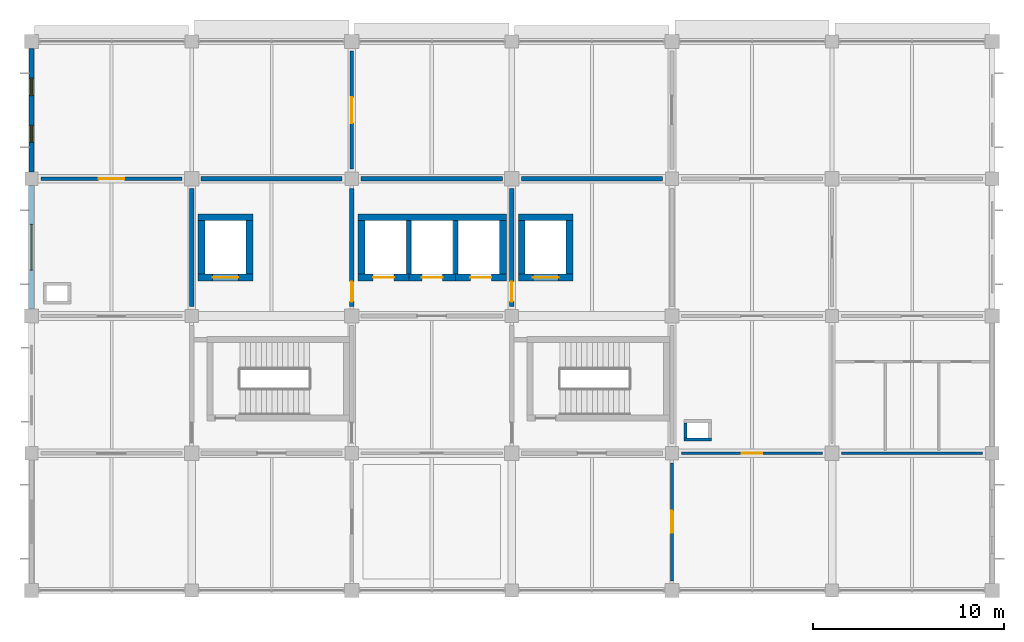
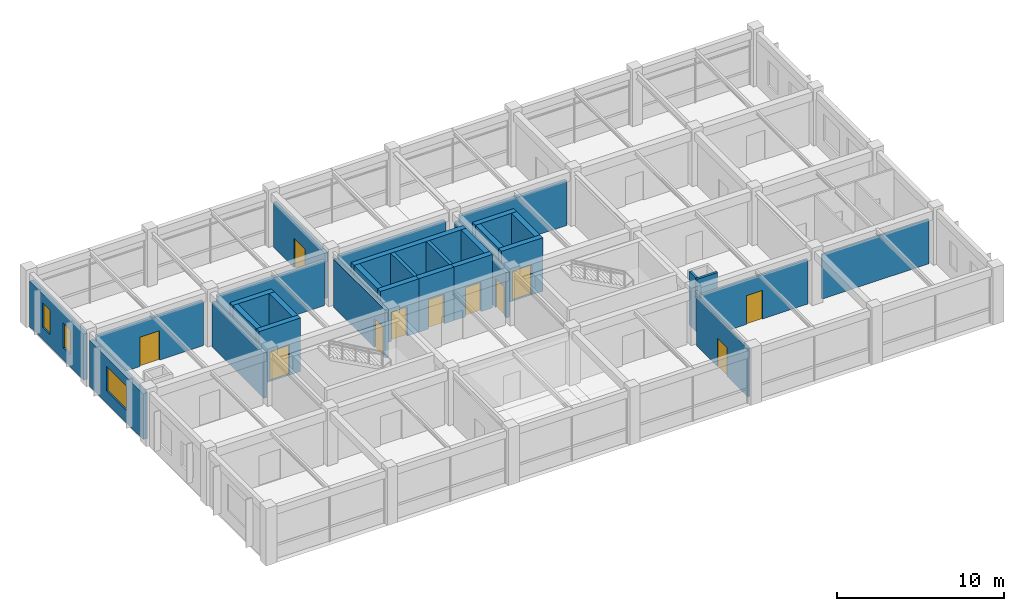
# One storey, part 9 of 13: 31 walls, 11 doors, 3 windows, 14 openings.
"""IFC4 building model written with IfcOpenShell, lengths in metres."""

from ifc_helpers import new_model, si_unit, derived_unit, direction, frame, frame_2d, origin, place, context, subcontext, project, spatial, rectangle, extrude, material, layer, layer_set, type_object, element, fill, save


model = new_model("IFC4")

# Units and contexts
model_context = context("Model", 3, precision=1e-05, world=origin(), true_north=direction((0.0, 1.0)))
body_context = subcontext(model_context, "Body", "Model", "MODEL_VIEW")
ifc_project = project(units=[si_unit("LENGTHUNIT", "METRE"), si_unit("AREAUNIT", "SQUARE_METRE"), si_unit("VOLUMEUNIT", "CUBIC_METRE"), si_unit("PLANEANGLEUNIT", "RADIAN"), si_unit("MASSUNIT", "GRAM", prefix="KILO"), derived_unit("THERMALTRANSMITTANCEUNIT", [(si_unit("MASSUNIT", "GRAM", prefix="KILO"), 1), (si_unit("TIMEUNIT", "SECOND"), -3), (si_unit("THERMODYNAMICTEMPERATUREUNIT", "KELVIN"), -1)])], contexts=[model_context])

# Site, building, storey
site_placement = place(None, origin())
site = spatial("IfcSite", under=ifc_project, at=site_placement, CompositionType="ELEMENT")
building_placement = place(site_placement, origin())
building = spatial("IfcBuilding", under=site, at=building_placement, Name="Veldstrom Oceanarium and Marine Research Institute", CompositionType="ELEMENT")
storey_placement = place(building_placement, frame((0.0, 0.0, 31.199951171875)))
storey = spatial("IfcBuildingStorey", under=building, at=storey_placement, Name="L06", CompositionType="ELEMENT", Elevation=31.199951171875)

# Wall, opening, window
ifc_material_1 = material(Name="Masonry Cavity Wall", Category="masonry")
ifc_layer_1 = layer(ifc_material_1, 0.2900390625)
ifc_layer_set_1 = layer_set([ifc_layer_1], Name="ARC-WAL-EW2")
wall_type_1 = type_object("IfcWallType", Name="ARC-WAL-EW2", PredefinedType="SOLIDWALL", material=ifc_layer_set_1)
wall_1_placement = place(storey_placement, frame((67.199951171875, 57.97509765625, 0.0), z_axis=(0.0, 0.0, 1.0), x_axis=(0.0, 1.0, 0.0)))
wall_1 = element("IfcWall", 1, at=wall_1_placement, inside=storey, type_object=wall_type_1, Name="Exterior Facade Wall EW2 L06-188", PredefinedType="SOLIDWALL", context=body_context, shape_type="SweptSolid", body=[
    extrude(rectangle(XDim=6.474853515625, YDim=0.2900390625, at=frame_2d((3.2373046875, 0.0))), origin(), (0.0, 0.0, 1.0), 3.364990234375),
])
opening_1_placement = place(wall_1_placement, frame((2.03759765625, 0.0, 0.89990234375)))
opening_1 = element("IfcOpeningElement", 2, at=opening_1_placement, cuts=wall_1, Name="Opening W01", PredefinedType="OPENING", context=body_context, shape_type="SweptSolid", body=[
    extrude(rectangle(XDim=2.39990234375, YDim=1.800048828125, at=frame_2d((1.199951171875, 0.89990234375))), frame((0.0, 0.155029296875, 0.0), z_axis=(0.0, -1.0, 0.0), x_axis=(1.0, 0.0, 0.0)), (0.0, 0.0, 1.0), 0.31005859375),
])
ifc_material_2 = material(Name="Double Glazed Low-E IGU", Category="glass")
window_type_1 = type_object("IfcWindowType", Name="ARC-WIN-W01", PartitioningType="SINGLE_PANEL", PredefinedType="WINDOW", material=ifc_material_2)
window_1_placement = place(opening_1_placement, origin())
window_1 = element("IfcWindow", 3, at=window_1_placement, inside=storey, type_object=window_type_1, Name="Facade Window W01 L06-0151", OverallHeight=1.800048828125, OverallWidth=2.39990234375, PartitioningType="SINGLE_PANEL", PredefinedType="WINDOW", context=body_context, shape_type="SweptSolid", body=[
    extrude(rectangle(XDim=2.39990234375, YDim=1.800048828125, at=frame_2d((1.199951171875, 0.89990234375))), frame((0.0, 0.030029296875, 0.0), z_axis=(0.0, -1.0, 0.0), x_axis=(1.0, 0.0, 0.0)), (0.0, 0.0, 1.0), 0.06005859375),
])
fill(opening_1, window_1)

# Wall, openings, windows
ifc_material_3 = material(Name="Masonry Cavity Wall", Category="masonry")
ifc_layer_2 = layer(ifc_material_3, 0.27001953125)
ifc_layer_set_2 = layer_set([ifc_layer_2], Name="ARC-WAL-EW3")
wall_type_2 = type_object("IfcWallType", Name="ARC-WAL-EW3", PredefinedType="SOLIDWALL", material=ifc_layer_set_2)
wall_2_placement = place(storey_placement, frame((67.199951171875, 65.14990234375, 0.0), z_axis=(0.0, 0.0, 1.0), x_axis=(0.0, 1.0, 0.0)))
wall_2 = element("IfcWall", 4, at=wall_2_placement, inside=storey, type_object=wall_type_2, Name="Exterior Facade Wall EW3 L06-189", PredefinedType="SOLIDWALL", context=body_context, shape_type="SweptSolid", body=[
    extrude(rectangle(XDim=6.47509765625, YDim=0.27001953125, at=frame_2d((3.237548828125, 0.0))), origin(), (0.0, 0.0, 1.0), 3.364990234375),
])
opening_2_placement = place(wall_2_placement, frame((1.558349609375, 0.0, 0.89990234375)))
opening_2 = element("IfcOpeningElement", 5, at=opening_2_placement, cuts=wall_2, Name="Opening W06", PredefinedType="OPENING", context=body_context, shape_type="SweptSolid", body=[
    extrude(rectangle(XDim=0.89990234375, YDim=1.800048828125, at=frame_2d((0.449951171875, 0.89990234375))), frame((0.0, 0.14501953125, 0.0), z_axis=(0.0, -1.0, 0.0), x_axis=(1.0, 0.0, 0.0)), (0.0, 0.0, 1.0), 0.2900390625),
])
opening_3_placement = place(wall_2_placement, frame((4.0166015625, 0.0, 0.89990234375)))
opening_3 = element("IfcOpeningElement", 6, at=opening_3_placement, cuts=wall_2, Name="Opening W06", PredefinedType="OPENING", context=body_context, shape_type="SweptSolid", body=[
    extrude(rectangle(XDim=0.89990234375, YDim=1.800048828125, at=frame_2d((0.449951171875, 0.89990234375))), frame((0.0, 0.14501953125, 0.0), z_axis=(0.0, -1.0, 0.0), x_axis=(1.0, 0.0, 0.0)), (0.0, 0.0, 1.0), 0.2900390625),
])
ifc_material_4 = material(Name="Double Glazed Low-E IGU", Category="glass")
window_type_2 = type_object("IfcWindowType", Name="ARC-WIN-W06", PartitioningType="SINGLE_PANEL", PredefinedType="WINDOW", material=ifc_material_4)
window_2_placement = place(opening_2_placement, origin())
window_2 = element("IfcWindow", 7, at=window_2_placement, inside=storey, type_object=window_type_2, Name="Facade Window W06 L06-0152", OverallHeight=1.800048828125, OverallWidth=0.89990234375, PartitioningType="SINGLE_PANEL", PredefinedType="WINDOW", context=body_context, shape_type="SweptSolid", body=[
    extrude(rectangle(XDim=0.89990234375, YDim=1.800048828125, at=frame_2d((0.449951171875, 0.89990234375))), frame((0.0, 0.030029296875, 0.0), z_axis=(0.0, -1.0, 0.0), x_axis=(1.0, 0.0, 0.0)), (0.0, 0.0, 1.0), 0.06005859375),
])
fill(opening_2, window_2)
window_3_placement = place(opening_3_placement, origin())
window_3 = element("IfcWindow", 8, at=window_3_placement, inside=storey, type_object=window_type_2, Name="Facade Window W06 L06-0153", OverallHeight=1.800048828125, OverallWidth=0.89990234375, PartitioningType="SINGLE_PANEL", PredefinedType="WINDOW", context=body_context, shape_type="SweptSolid", body=[
    extrude(rectangle(XDim=0.89990234375, YDim=1.800048828125, at=frame_2d((0.449951171875, 0.89990234375))), frame((0.0, 0.030029296875, 0.0), z_axis=(0.0, -1.0, 0.0), x_axis=(1.0, 0.0, 0.0)), (0.0, 0.0, 1.0), 0.06005859375),
])
fill(opening_3, window_3)

# Wall
ifc_material_5 = material(Name="Masonry Fire Compartment Wall", Category="masonry")
ifc_layer_3 = layer(ifc_material_5, 0.22998046875)
ifc_layer_set_3 = layer_set([ifc_layer_3], Name="ARC-WAL-PT1")
wall_type_3 = type_object("IfcWallType", Name="ARC-WAL-PT1", PredefinedType="PARTITIONING", material=ifc_layer_set_3)
wall_3_placement = place(storey_placement, frame((75.60009765625, 58.10009765625, 0.0), z_axis=(0.0, 0.0, 1.0), x_axis=(0.0, 1.0, 0.0)))
element("IfcWall", 9, at=wall_3_placement, inside=storey, type_object=wall_type_3, Name="Interior Partition PT1 L06-1479", PredefinedType="PARTITIONING", context=body_context, shape_type="SweptSolid", body=[
    extrude(rectangle(XDim=6.199951171875, YDim=0.22998046875, at=frame_2d((3.10009765625, 0.0))), origin(), (0.0, 0.0, 1.0), 3.31494140625),
])

# Wall, opening, door
wall_4_placement = place(storey_placement, frame((84.0, 58.10009765625, 0.0), z_axis=(0.0, 0.0, 1.0), x_axis=(0.0, 1.0, 0.0)))
wall_4 = element("IfcWall", 10, at=wall_4_placement, inside=storey, type_object=wall_type_3, Name="Interior Partition PT1 L06-1485", PredefinedType="PARTITIONING", context=body_context, shape_type="SweptSolid", body=[
    extrude(rectangle(XDim=6.199951171875, YDim=0.22998046875, at=frame_2d((3.10009765625, 0.0))), origin(), (0.0, 0.0, 1.0), 3.51513671875),
])
opening_4_placement = place(wall_4_placement, frame((0.25, 0.0, 0.0)))
opening_4 = element("IfcOpeningElement", 11, at=opening_4_placement, cuts=wall_4, Name="Opening D-L06-887", PredefinedType="OPENING", context=body_context, shape_type="SweptSolid", body=[
    extrude(rectangle(XDim=1.050048828125, YDim=2.14990234375, at=frame_2d((0.52490234375, 1.074951171875))), frame((0.0, 0.125, 0.0), z_axis=(0.0, -1.0, 0.0), x_axis=(1.0, 0.0, 0.0)), (0.0, 0.0, 1.0), 0.25),
])
ifc_material_6 = material(Name="Painted Steel Fire Door", Category="steel")
door_type_1 = type_object("IfcDoorType", Name="ARC-DOR-SD1", OperationType="SINGLE_SWING_LEFT", PredefinedType="DOOR", material=ifc_material_6)
door_1_placement = place(opening_4_placement, origin())
door_1 = element("IfcDoor", 12, at=door_1_placement, inside=storey, type_object=door_type_1, Name="Interior Door D-L06-887", OperationType="SINGLE_SWING_LEFT", OverallHeight=2.14990234375, OverallWidth=1.050048828125, PredefinedType="DOOR", context=body_context, shape_type="SweptSolid", body=[
    extrude(rectangle(XDim=1.050048828125, YDim=2.14990234375, at=frame_2d((0.52490234375, 1.074951171875))), frame((0.0, 0.02490234375, 0.0), z_axis=(0.0, -1.0, 0.0), x_axis=(1.0, 0.0, 0.0)), (0.0, 0.0, 1.0), 0.050048828125),
])
fill(opening_4, door_1)

# Wall
wall_5_placement = place(storey_placement, frame((76.10009765625, 64.800048828125, 0.0), z_axis=(0.0, 0.0, 1.0), x_axis=(1.0, 0.0, 0.0)))
element("IfcWall", 13, at=wall_5_placement, inside=storey, type_object=wall_type_3, Name="Interior Partition PT1 L06-1486", PredefinedType="PARTITIONING", context=body_context, shape_type="SweptSolid", body=[
    extrude(rectangle(XDim=7.39990234375, YDim=0.22998046875, at=frame_2d((3.699951171875, 0.0))), origin(), (0.0, 0.0, 1.0), 3.26513671875),
])

# Wall, opening, door
wall_6_placement = place(storey_placement, frame((92.39990234375, 58.10009765625, 0.0), z_axis=(0.0, 0.0, 1.0), x_axis=(0.0, 1.0, 0.0)))
wall_6 = element("IfcWall", 14, at=wall_6_placement, inside=storey, type_object=wall_type_3, Name="Interior Partition PT1 L06-1491", PredefinedType="PARTITIONING", context=body_context, shape_type="SweptSolid", body=[
    extrude(rectangle(XDim=6.199951171875, YDim=0.22998046875, at=frame_2d((3.10009765625, 0.0))), origin(), (0.0, 0.0, 1.0), 3.31494140625),
])
opening_5_placement = place(wall_6_placement, frame((0.25, 0.0, 0.0)))
opening_5 = element("IfcOpeningElement", 15, at=opening_5_placement, cuts=wall_6, Name="Opening D-L06-892", PredefinedType="OPENING", context=body_context, shape_type="SweptSolid", body=[
    extrude(rectangle(XDim=1.050048828125, YDim=2.14990234375, at=frame_2d((0.52490234375, 1.074951171875))), frame((0.0, 0.125, 0.0), z_axis=(0.0, -1.0, 0.0), x_axis=(1.0, 0.0, 0.0)), (0.0, 0.0, 1.0), 0.25),
])
door_2_placement = place(opening_5_placement, frame((1.050048828125, 0.0, 0.0), z_axis=(0.0, 0.0, 1.0), x_axis=(-1.0, 0.0, 0.0)))
door_2 = element("IfcDoor", 16, at=door_2_placement, inside=storey, type_object=door_type_1, Name="Interior Door D-L06-892", OperationType="SINGLE_SWING_RIGHT", OverallHeight=2.14990234375, OverallWidth=1.050048828125, PredefinedType="DOOR", context=body_context, shape_type="SweptSolid", body=[
    extrude(rectangle(XDim=1.050048828125, YDim=2.14990234375, at=frame_2d((0.52490234375, 1.074951171875))), frame((0.0, 0.02490234375, 0.0), z_axis=(0.0, -1.0, 0.0), x_axis=(1.0, 0.0, 0.0)), (0.0, 0.0, 1.0), 0.050048828125),
])
fill(opening_5, door_2)

# Walls
wall_7_placement = place(storey_placement, frame((84.5, 64.800048828125, 0.0), z_axis=(0.0, 0.0, 1.0), x_axis=(1.0, 0.0, 0.0)))
element("IfcWall", 17, at=wall_7_placement, inside=storey, type_object=wall_type_3, Name="Interior Partition PT1 L06-1492", PredefinedType="PARTITIONING", context=body_context, shape_type="SweptSolid", body=[
    extrude(rectangle(XDim=7.39990234375, YDim=0.22998046875, at=frame_2d((3.699951171875, 0.0))), origin(), (0.0, 0.0, 1.0), 3.26513671875),
])
wall_8_placement = place(storey_placement, frame((92.89990234375, 64.800048828125, 0.0), z_axis=(0.0, 0.0, 1.0), x_axis=(1.0, 0.0, 0.0)))
element("IfcWall", 18, at=wall_8_placement, inside=storey, type_object=wall_type_3, Name="Interior Partition PT1 L06-1498", PredefinedType="PARTITIONING", context=body_context, shape_type="SweptSolid", body=[
    extrude(rectangle(XDim=7.400146484375, YDim=0.22998046875, at=frame_2d((3.7001953125, 0.0))), origin(), (0.0, 0.0, 1.0), 3.26513671875),
])

# Wall, opening, door
ifc_material_7 = material(Name="Masonry Acoustic Lab Partition", Category="masonry")
ifc_layer_4 = layer(ifc_material_7, 0.205078125)
ifc_layer_set_4 = layer_set([ifc_layer_4], Name="ARC-WAL-PT2")
wall_type_4 = type_object("IfcWallType", Name="ARC-WAL-PT2", PredefinedType="PARTITIONING", material=ifc_layer_set_4)
wall_9_placement = place(storey_placement, frame((67.699951171875, 64.800048828125, 0.0), z_axis=(0.0, 0.0, 1.0), x_axis=(1.0, 0.0, 0.0)))
wall_9 = element("IfcWall", 19, at=wall_9_placement, inside=storey, type_object=wall_type_4, Name="Interior Partition PT2 L06-1480", PredefinedType="PARTITIONING", context=body_context, shape_type="SweptSolid", body=[
    extrude(rectangle(XDim=7.400146484375, YDim=0.205078125, at=frame_2d((3.7001953125, 0.0))), origin(), (0.0, 0.0, 1.0), 3.26513671875),
])
opening_6_placement = place(wall_9_placement, frame((3.02490234375, 0.0, 0.0)))
opening_6 = element("IfcOpeningElement", 20, at=opening_6_placement, cuts=wall_9, Name="Opening D-L06-883", PredefinedType="OPENING", context=body_context, shape_type="SweptSolid", body=[
    extrude(rectangle(XDim=1.35009765625, YDim=2.14990234375, at=frame_2d((0.675048828125, 1.074951171875))), frame((0.0, 0.112548828125, 0.0), z_axis=(0.0, -1.0, 0.0), x_axis=(1.0, 0.0, 0.0)), (0.0, 0.0, 1.0), 0.22509765625),
])
ifc_material_8 = material(Name="Cleanroom Airlock Door", Category="steel")
door_type_2 = type_object("IfcDoorType", Name="ARC-DOR-ID15", OperationType="SINGLE_SWING_LEFT", PredefinedType="DOOR", material=ifc_material_8)
door_3_placement = place(opening_6_placement, origin())
door_3 = element("IfcDoor", 21, at=door_3_placement, inside=storey, type_object=door_type_2, Name="Interior Door D-L06-883", OperationType="SINGLE_SWING_LEFT", OverallHeight=2.14990234375, OverallWidth=1.35009765625, PredefinedType="DOOR", context=body_context, shape_type="SweptSolid", body=[
    extrude(rectangle(XDim=1.35009765625, YDim=2.14990234375, at=frame_2d((0.675048828125, 1.074951171875))), frame((0.0, 0.02490234375, 0.0), z_axis=(0.0, -1.0, 0.0), x_axis=(1.0, 0.0, 0.0)), (0.0, 0.0, 1.0), 0.050048828125),
])
fill(opening_6, door_3)

wall_10_placement = place(storey_placement, frame((84.0, 65.300048828125, 0.0), z_axis=(0.0, 0.0, 1.0), x_axis=(0.0, 1.0, 0.0)))
wall_10 = element("IfcWall", 22, at=wall_10_placement, inside=storey, type_object=wall_type_4, Name="Interior Partition PT2 L06-1487", PredefinedType="PARTITIONING", context=body_context, shape_type="SweptSolid", body=[
    extrude(rectangle(XDim=6.199951171875, YDim=0.205078125, at=frame_2d((3.10009765625, 0.0))), origin(), (0.0, 0.0, 1.0), 3.31494140625),
])
opening_7_placement = place(wall_10_placement, frame((2.425048828125, 0.0, 0.0)))
opening_7 = element("IfcOpeningElement", 23, at=opening_7_placement, cuts=wall_10, Name="Opening D-L06-888", PredefinedType="OPENING", context=body_context, shape_type="SweptSolid", body=[
    extrude(rectangle(XDim=1.35009765625, YDim=2.14990234375, at=frame_2d((0.675048828125, 1.074951171875))), frame((0.0, 0.112548828125, 0.0), z_axis=(0.0, -1.0, 0.0), x_axis=(1.0, 0.0, 0.0)), (0.0, 0.0, 1.0), 0.22509765625),
])
door_4_placement = place(opening_7_placement, frame((1.35009765625, 0.0, 0.0), z_axis=(0.0, 0.0, 1.0), x_axis=(-1.0, 0.0, 0.0)))
door_4 = element("IfcDoor", 24, at=door_4_placement, inside=storey, type_object=door_type_2, Name="Interior Door D-L06-888", OperationType="SINGLE_SWING_RIGHT", OverallHeight=2.14990234375, OverallWidth=1.35009765625, PredefinedType="DOOR", context=body_context, shape_type="SweptSolid", body=[
    extrude(rectangle(XDim=1.35009765625, YDim=2.14990234375, at=frame_2d((0.675048828125, 1.074951171875))), frame((0.0, 0.02490234375, 0.0), z_axis=(0.0, -1.0, 0.0), x_axis=(1.0, 0.0, 0.0)), (0.0, 0.0, 1.0), 0.050048828125),
])
fill(opening_7, door_4)

ifc_material_9 = material(Name="Drywall Corridor Partition", Category="gypsum")
ifc_layer_5 = layer(ifc_material_9, 0.155029296875)
ifc_layer_set_5 = layer_set([ifc_layer_5], Name="ARC-WAL-PT4")
wall_type_5 = type_object("IfcWallType", Name="ARC-WAL-PT4", PredefinedType="PARTITIONING", material=ifc_layer_set_5)
wall_11_placement = place(storey_placement, frame((101.300048828125, 50.39990234375, 0.0), z_axis=(0.0, 0.0, 1.0), x_axis=(1.0, 0.0, 0.0)))
wall_11 = element("IfcWall", 25, at=wall_11_placement, inside=storey, type_object=wall_type_5, Name="Interior Partition PT4 L06-1500", PredefinedType="PARTITIONING", context=body_context, shape_type="SweptSolid", body=[
    extrude(rectangle(XDim=7.39990234375, YDim=0.155029296875, at=frame_2d((3.699951171875, 0.0))), origin(), (0.0, 0.0, 1.0), 3.26513671875),
])
opening_8_placement = place(wall_11_placement, frame((3.14990234375, 0.0, 0.0)))
opening_8 = element("IfcOpeningElement", 26, at=opening_8_placement, cuts=wall_11, Name="Opening D-L06-896", PredefinedType="OPENING", context=body_context, shape_type="SweptSolid", body=[
    extrude(rectangle(XDim=1.10009765625, YDim=2.10009765625, at=frame_2d((0.550048828125, 1.050048828125))), frame((0.0, 0.08740234375, 0.0), z_axis=(0.0, -1.0, 0.0), x_axis=(1.0, 0.0, 0.0)), (0.0, 0.0, 1.0), 0.175048828125),
])
ifc_material_10 = material(Name="Research Office Door", Category="timber")
door_type_3 = type_object("IfcDoorType", Name="ARC-DOR-ID07", OperationType="SINGLE_SWING_LEFT", PredefinedType="DOOR", material=ifc_material_10)
door_5_placement = place(opening_8_placement, origin())
door_5 = element("IfcDoor", 27, at=door_5_placement, inside=storey, type_object=door_type_3, Name="Interior Door D-L06-896", OperationType="SINGLE_SWING_LEFT", OverallHeight=2.10009765625, OverallWidth=1.10009765625, PredefinedType="DOOR", context=body_context, shape_type="SweptSolid", body=[
    extrude(rectangle(XDim=1.10009765625, YDim=2.10009765625, at=frame_2d((0.550048828125, 1.050048828125))), frame((0.0, 0.02490234375, 0.0), z_axis=(0.0, -1.0, 0.0), x_axis=(1.0, 0.0, 0.0)), (0.0, 0.0, 1.0), 0.050048828125),
])
fill(opening_8, door_5)

ifc_material_11 = material(Name="Moisture-Resistant Wet-Area Partition", Category="masonry")
ifc_layer_6 = layer(ifc_material_11, 0.139892578125)
ifc_layer_set_6 = layer_set([ifc_layer_6], Name="ARC-WAL-PT5")
wall_type_6 = type_object("IfcWallType", Name="ARC-WAL-PT5", PredefinedType="PARTITIONING", material=ifc_layer_set_6)
wall_12_placement = place(storey_placement, frame((100.800048828125, 43.699951171875, 0.0), z_axis=(0.0, 0.0, 1.0), x_axis=(0.0, 1.0, 0.0)))
wall_12 = element("IfcWall", 28, at=wall_12_placement, inside=storey, type_object=wall_type_6, Name="Interior Partition PT5 L06-1493", PredefinedType="PARTITIONING", context=body_context, shape_type="SweptSolid", body=[
    extrude(rectangle(XDim=6.199951171875, YDim=0.139892578125, at=frame_2d((3.10009765625, 0.0))), origin(), (0.0, 0.0, 1.0), 3.51513671875),
])
opening_9_placement = place(wall_12_placement, frame((2.52490234375, 0.0, 0.0)))
opening_9 = element("IfcOpeningElement", 29, at=opening_9_placement, cuts=wall_12, Name="Opening D-L06-893", PredefinedType="OPENING", context=body_context, shape_type="SweptSolid", body=[
    extrude(rectangle(XDim=1.14990234375, YDim=2.10009765625, at=frame_2d((0.574951171875, 1.050048828125))), frame((0.0, 0.079833984375, 0.0), z_axis=(0.0, -1.0, 0.0), x_axis=(1.0, 0.0, 0.0)), (0.0, 0.0, 1.0), 0.159912109375),
])
ifc_material_12 = material(Name="Fellows Studio Door", Category="timber")
door_type_4 = type_object("IfcDoorType", Name="ARC-DOR-ID17", OperationType="SINGLE_SWING_LEFT", PredefinedType="DOOR", material=ifc_material_12)
door_6_placement = place(opening_9_placement, origin())
door_6 = element("IfcDoor", 30, at=door_6_placement, inside=storey, type_object=door_type_4, Name="Interior Door D-L06-893", OperationType="SINGLE_SWING_RIGHT", OverallHeight=2.10009765625, OverallWidth=1.14990234375, PredefinedType="DOOR", context=body_context, shape_type="SweptSolid", body=[
    extrude(rectangle(XDim=1.14990234375, YDim=2.10009765625, at=frame_2d((0.574951171875, 1.050048828125))), frame((0.0, 0.02490234375, 0.0), z_axis=(0.0, -1.0, 0.0), x_axis=(1.0, 0.0, 0.0)), (0.0, 0.0, 1.0), 0.050048828125),
])
fill(opening_9, door_6)

# Walls
ifc_material_13 = material(Name="Lightweight Studio Partition", Category="gypsum")
ifc_layer_7 = layer(ifc_material_13, 0.1201171875)
ifc_layer_set_7 = layer_set([ifc_layer_7], Name="ARC-WAL-PT6")
wall_type_7 = type_object("IfcWallType", Name="ARC-WAL-PT6", PredefinedType="PARTITIONING", material=ifc_layer_set_7)
wall_13_placement = place(storey_placement, frame((109.699951171875, 50.39990234375, 0.0), z_axis=(0.0, 0.0, 1.0), x_axis=(1.0, 0.0, 0.0)))
element("IfcWall", 31, at=wall_13_placement, inside=storey, type_object=wall_type_7, Name="Interior Partition PT6 L06-1505", PredefinedType="PARTITIONING", context=body_context, shape_type="SweptSolid", body=[
    extrude(rectangle(XDim=7.400146484375, YDim=0.1201171875, at=frame_2d((3.7001953125, 0.0))), origin(), (0.0, 0.0, 1.0), 3.26513671875),
])
ifc_material_14 = material(Name="Service Riser Fire Shaft Wall", Category="masonry")
ifc_layer_8 = layer(ifc_material_14, 0.1650390625)
ifc_layer_set_8 = layer_set([ifc_layer_8], Name="ARC-WAL-PT9")
wall_type_8 = type_object("IfcWallType", Name="ARC-WAL-PT9", PredefinedType="PARTITIONING", material=ifc_layer_set_8)
wall_14_placement = place(storey_placement, frame((101.43505859375, 51.117431640625, 0.0), z_axis=(0.0, 0.0, 1.0), x_axis=(1.0, 0.0, 0.0)))
element("IfcWall", 32, at=wall_14_placement, inside=storey, type_object=wall_type_8, Name="Service Riser Fire Shaft Wall L06-CE-S", PredefinedType="PARTITIONING", context=body_context, shape_type="SweptSolid", body=[
    extrude(rectangle(XDim=1.429931640625, YDim=0.1650390625, at=frame_2d((0.71484375, 0.0))), origin(), (0.0, 0.0, 1.0), 3.920166015625),
])
wall_15_placement = place(storey_placement, frame((101.517578125, 51.199951171875, 0.0), z_axis=(0.0, 0.0, 1.0), x_axis=(0.0, 1.0, 0.0)))
element("IfcWall", 33, at=wall_15_placement, inside=storey, type_object=wall_type_8, Name="Service Riser Fire Shaft Wall L06-CE-W", PredefinedType="PARTITIONING", context=body_context, shape_type="SweptSolid", body=[
    extrude(rectangle(XDim=0.800048828125, YDim=0.1650390625, at=frame_2d((0.39990234375, 0.0))), origin(), (0.0, 0.0, 1.0), 3.920166015625),
])
ifc_material_15 = material(Name="Concrete C40/50", Category="concrete")
ifc_layer_9 = layer(ifc_material_15, 0.360107421875)
ifc_layer_set_9 = layer_set([ifc_layer_9], Name="STR-WAL-WC2")
wall_type_9 = type_object("IfcWallType", Name="STR-WAL-WC2", PredefinedType="SHEAR", material=ifc_layer_set_9)
wall_16_placement = place(storey_placement, frame((75.93994140625, 62.780029296875, 0.0), z_axis=(0.0, 0.0, 1.0), x_axis=(1.0, 0.0, 0.0)))
element("IfcWall", 34, at=wall_16_placement, inside=storey, type_object=wall_type_9, Name="Lift Shaft Shear Wall N L06 9/8", PredefinedType="SHEAR", context=body_context, shape_type="SweptSolid", body=[
    extrude(rectangle(XDim=2.8701171875, YDim=0.360107421875, at=frame_2d((1.43505859375, 0.0))), origin(), (0.0, 0.0, 1.0), 3.920166015625),
])

# Wall, opening, door
wall_17_placement = place(storey_placement, frame((75.93994140625, 59.6201171875, 0.0), z_axis=(0.0, 0.0, 1.0), x_axis=(1.0, 0.0, 0.0)))
wall_17 = element("IfcWall", 35, at=wall_17_placement, inside=storey, type_object=wall_type_9, Name="Lift Shaft Front Shear Wall LF1 L06", PredefinedType="SHEAR", context=body_context, shape_type="SweptSolid", body=[
    extrude(rectangle(XDim=2.8701171875, YDim=0.360107421875, at=frame_2d((1.43505859375, 0.0))), origin(), (0.0, 0.0, 1.0), 3.920166015625),
])
opening_10_placement = place(wall_17_placement, frame((0.760009765625, 0.0, 0.0)))
opening_10 = element("IfcOpeningElement", 36, at=opening_10_placement, cuts=wall_17, Name="Opening LD-LF1-L06", PredefinedType="OPENING", context=body_context, shape_type="SweptSolid", body=[
    extrude(rectangle(XDim=1.35009765625, YDim=2.199951171875, at=frame_2d((0.675048828125, 1.10009765625))), frame((0.0, 0.18994140625, 0.0), z_axis=(0.0, -1.0, 0.0), x_axis=(1.0, 0.0, 0.0)), (0.0, 0.0, 1.0), 0.380126953125),
])
ifc_material_16 = material(Name="Stainless Steel Lift Landing Door", Category="steel")
door_type_5 = type_object("IfcDoorType", Name="ARC-DOR-LD3", OperationType="DOUBLE_DOOR_SLIDING", PredefinedType="DOOR", material=ifc_material_16)
door_7_placement = place(opening_10_placement, origin())
door_7 = element("IfcDoor", 37, at=door_7_placement, inside=storey, type_object=door_type_5, Name="Lift Landing Door LD-LF1-L06", OperationType="DOUBLE_DOOR_SLIDING", OverallHeight=2.199951171875, OverallWidth=1.35009765625, PredefinedType="DOOR", context=body_context, shape_type="SweptSolid", body=[
    extrude(rectangle(XDim=1.35009765625, YDim=2.199951171875, at=frame_2d((0.675048828125, 1.10009765625))), frame((0.0, 0.02490234375, 0.0), z_axis=(0.0, -1.0, 0.0), x_axis=(1.0, 0.0, 0.0)), (0.0, 0.0, 1.0), 0.050048828125),
])
fill(opening_10, door_7)

# Walls
for number, where, z_axis, x_axis, name in (
    (38, (76.1201171875, 59.800048828125, 0.0), (0.0, 0.0, 1.0), (0.0, 1.0, 0.0), "Lift Shaft Shear Wall W L06 9/8"),
    (39, (78.6298828125, 59.800048828125, 0.0), (0.0, 0.0, 1.0), (0.0, 1.0, 0.0), "Lift Shaft Shear Wall E L06 9/8"),
):
    element("IfcWall", number, at=place(storey_placement, frame(where, z_axis=z_axis, x_axis=x_axis)), inside=storey, type_object=wall_type_9, Name=name, PredefinedType="SHEAR", context=body_context, shape_type="SweptSolid", body=[
        extrude(rectangle(XDim=2.800048828125, YDim=0.360107421875, at=frame_2d((1.39990234375, 0.0))), origin(), (0.0, 0.0, 1.0), 3.920166015625),
    ])
wall_18_placement = place(storey_placement, frame((84.340087890625, 62.780029296875, 0.0), z_axis=(0.0, 0.0, 1.0), x_axis=(1.0, 0.0, 0.0)))
element("IfcWall", 40, at=wall_18_placement, inside=storey, type_object=wall_type_9, Name="Lift Shaft Shear Wall N L06 10/8", PredefinedType="SHEAR", context=body_context, shape_type="SweptSolid", body=[
    extrude(rectangle(XDim=7.77001953125, YDim=0.360107421875, at=frame_2d((3.885009765625, 0.0))), origin(), (0.0, 0.0, 1.0), 3.920166015625),
])

# Wall, opening, door
wall_19_placement = place(storey_placement, frame((84.340087890625, 59.6201171875, 0.0), z_axis=(0.0, 0.0, 1.0), x_axis=(1.0, 0.0, 0.0)))
wall_19 = element("IfcWall", 41, at=wall_19_placement, inside=storey, type_object=wall_type_9, Name="Lift Shaft Front Shear Wall LP1 L06", PredefinedType="SHEAR", context=body_context, shape_type="SweptSolid", body=[
    extrude(rectangle(XDim=2.659912109375, YDim=0.360107421875, at=frame_2d((1.330078125, 0.0))), origin(), (0.0, 0.0, 1.0), 3.920166015625),
])
opening_11_placement = place(wall_19_placement, frame((0.780029296875, 0.0, 0.0)))
opening_11 = element("IfcOpeningElement", 42, at=opening_11_placement, cuts=wall_19, Name="Opening LD-LP1-L06", PredefinedType="OPENING", context=body_context, shape_type="SweptSolid", body=[
    extrude(rectangle(XDim=1.10009765625, YDim=2.14990234375, at=frame_2d((0.550048828125, 1.074951171875))), frame((0.0, 0.18994140625, 0.0), z_axis=(0.0, -1.0, 0.0), x_axis=(1.0, 0.0, 0.0)), (0.0, 0.0, 1.0), 0.380126953125),
])
ifc_material_17 = material(Name="Stainless Steel Lift Landing Door", Category="steel")
door_type_6 = type_object("IfcDoorType", Name="ARC-DOR-LD1", OperationType="DOUBLE_DOOR_SLIDING", PredefinedType="DOOR", material=ifc_material_17)
door_8_placement = place(opening_11_placement, origin())
door_8 = element("IfcDoor", 43, at=door_8_placement, inside=storey, type_object=door_type_6, Name="Lift Landing Door LD-LP1-L06", OperationType="DOUBLE_DOOR_SLIDING", OverallHeight=2.14990234375, OverallWidth=1.10009765625, PredefinedType="DOOR", context=body_context, shape_type="SweptSolid", body=[
    extrude(rectangle(XDim=1.10009765625, YDim=2.14990234375, at=frame_2d((0.550048828125, 1.074951171875))), frame((0.0, 0.02490234375, 0.0), z_axis=(0.0, -1.0, 0.0), x_axis=(1.0, 0.0, 0.0)), (0.0, 0.0, 1.0), 0.050048828125),
])
fill(opening_11, door_8)

wall_20_placement = place(storey_placement, frame((87.0, 59.6201171875, 0.0), z_axis=(0.0, 0.0, 1.0), x_axis=(1.0, 0.0, 0.0)))
wall_20 = element("IfcWall", 44, at=wall_20_placement, inside=storey, type_object=wall_type_9, Name="Lift Shaft Front Shear Wall LP2 L06", PredefinedType="SHEAR", context=body_context, shape_type="SweptSolid", body=[
    extrude(rectangle(XDim=2.449951171875, YDim=0.360107421875, at=frame_2d((1.22509765625, 0.0))), origin(), (0.0, 0.0, 1.0), 3.920166015625),
])
opening_12_placement = place(wall_20_placement, frame((0.675048828125, 0.0, 0.0)))
opening_12 = element("IfcOpeningElement", 45, at=opening_12_placement, cuts=wall_20, Name="Opening LD-LP2-L06", PredefinedType="OPENING", context=body_context, shape_type="SweptSolid", body=[
    extrude(rectangle(XDim=1.10009765625, YDim=2.14990234375, at=frame_2d((0.550048828125, 1.074951171875))), frame((0.0, 0.18994140625, 0.0), z_axis=(0.0, -1.0, 0.0), x_axis=(1.0, 0.0, 0.0)), (0.0, 0.0, 1.0), 0.380126953125),
])
door_9_placement = place(opening_12_placement, origin())
door_9 = element("IfcDoor", 46, at=door_9_placement, inside=storey, type_object=door_type_6, Name="Lift Landing Door LD-LP2-L06", OperationType="DOUBLE_DOOR_SLIDING", OverallHeight=2.14990234375, OverallWidth=1.10009765625, PredefinedType="DOOR", context=body_context, shape_type="SweptSolid", body=[
    extrude(rectangle(XDim=1.10009765625, YDim=2.14990234375, at=frame_2d((0.550048828125, 1.074951171875))), frame((0.0, 0.02490234375, 0.0), z_axis=(0.0, -1.0, 0.0), x_axis=(1.0, 0.0, 0.0)), (0.0, 0.0, 1.0), 0.050048828125),
])
fill(opening_12, door_9)

wall_21_placement = place(storey_placement, frame((89.449951171875, 59.6201171875, 0.0), z_axis=(0.0, 0.0, 1.0), x_axis=(1.0, 0.0, 0.0)))
wall_21 = element("IfcWall", 47, at=wall_21_placement, inside=storey, type_object=wall_type_9, Name="Lift Shaft Front Shear Wall LP3 L06", PredefinedType="SHEAR", context=body_context, shape_type="SweptSolid", body=[
    extrude(rectangle(XDim=2.66015625, YDim=0.360107421875, at=frame_2d((1.330078125, 0.0))), origin(), (0.0, 0.0, 1.0), 3.920166015625),
])
opening_13_placement = place(wall_21_placement, frame((0.780029296875, 0.0, 0.0)))
opening_13 = element("IfcOpeningElement", 48, at=opening_13_placement, cuts=wall_21, Name="Opening LD-LP3-L06", PredefinedType="OPENING", context=body_context, shape_type="SweptSolid", body=[
    extrude(rectangle(XDim=1.10009765625, YDim=2.14990234375, at=frame_2d((0.550048828125, 1.074951171875))), frame((0.0, 0.18994140625, 0.0), z_axis=(0.0, -1.0, 0.0), x_axis=(1.0, 0.0, 0.0)), (0.0, 0.0, 1.0), 0.380126953125),
])
door_10_placement = place(opening_13_placement, origin())
door_10 = element("IfcDoor", 49, at=door_10_placement, inside=storey, type_object=door_type_6, Name="Lift Landing Door LD-LP3-L06", OperationType="DOUBLE_DOOR_SLIDING", OverallHeight=2.14990234375, OverallWidth=1.10009765625, PredefinedType="DOOR", context=body_context, shape_type="SweptSolid", body=[
    extrude(rectangle(XDim=1.10009765625, YDim=2.14990234375, at=frame_2d((0.550048828125, 1.074951171875))), frame((0.0, 0.02490234375, 0.0), z_axis=(0.0, -1.0, 0.0), x_axis=(1.0, 0.0, 0.0)), (0.0, 0.0, 1.0), 0.050048828125),
])
fill(opening_13, door_10)

# Walls
for number, where, z_axis, x_axis, name in (
    (50, (84.52001953125, 59.800048828125, 0.0), (0.0, 0.0, 1.0), (0.0, 1.0, 0.0), "Lift Shaft Shear Wall W L06 10/8"),
    (51, (91.929931640625, 59.800048828125, 0.0), (0.0, 0.0, 1.0), (0.0, 1.0, 0.0), "Lift Shaft Shear Wall E L06 10/8"),
):
    element("IfcWall", number, at=place(storey_placement, frame(where, z_axis=z_axis, x_axis=x_axis)), inside=storey, type_object=wall_type_9, Name=name, PredefinedType="SHEAR", context=body_context, shape_type="SweptSolid", body=[
        extrude(rectangle(XDim=2.800048828125, YDim=0.360107421875, at=frame_2d((1.39990234375, 0.0))), origin(), (0.0, 0.0, 1.0), 3.920166015625),
    ])
wall_22_placement = place(storey_placement, frame((92.739990234375, 62.780029296875, 0.0), z_axis=(0.0, 0.0, 1.0), x_axis=(1.0, 0.0, 0.0)))
element("IfcWall", 52, at=wall_22_placement, inside=storey, type_object=wall_type_9, Name="Lift Shaft Shear Wall N L06 11/8", PredefinedType="SHEAR", context=body_context, shape_type="SweptSolid", body=[
    extrude(rectangle(XDim=2.8701171875, YDim=0.360107421875, at=frame_2d((1.43505859375, 0.0))), origin(), (0.0, 0.0, 1.0), 3.920166015625),
])

# Wall, opening, door
wall_23_placement = place(storey_placement, frame((92.739990234375, 59.6201171875, 0.0), z_axis=(0.0, 0.0, 1.0), x_axis=(1.0, 0.0, 0.0)))
wall_23 = element("IfcWall", 53, at=wall_23_placement, inside=storey, type_object=wall_type_9, Name="Lift Shaft Front Shear Wall LF2 L06", PredefinedType="SHEAR", context=body_context, shape_type="SweptSolid", body=[
    extrude(rectangle(XDim=2.8701171875, YDim=0.360107421875, at=frame_2d((1.43505859375, 0.0))), origin(), (0.0, 0.0, 1.0), 3.920166015625),
])
opening_14_placement = place(wall_23_placement, frame((0.760009765625, 0.0, 0.0)))
opening_14 = element("IfcOpeningElement", 54, at=opening_14_placement, cuts=wall_23, Name="Opening LD-LF2-L06", PredefinedType="OPENING", context=body_context, shape_type="SweptSolid", body=[
    extrude(rectangle(XDim=1.35009765625, YDim=2.199951171875, at=frame_2d((0.675048828125, 1.10009765625))), frame((0.0, 0.18994140625, 0.0), z_axis=(0.0, -1.0, 0.0), x_axis=(1.0, 0.0, 0.0)), (0.0, 0.0, 1.0), 0.380126953125),
])
door_11_placement = place(opening_14_placement, origin())
door_11 = element("IfcDoor", 55, at=door_11_placement, inside=storey, type_object=door_type_5, Name="Lift Landing Door LD-LF2-L06", OperationType="DOUBLE_DOOR_SLIDING", OverallHeight=2.199951171875, OverallWidth=1.35009765625, PredefinedType="DOOR", context=body_context, shape_type="SweptSolid", body=[
    extrude(rectangle(XDim=1.35009765625, YDim=2.199951171875, at=frame_2d((0.675048828125, 1.10009765625))), frame((0.0, 0.02490234375, 0.0), z_axis=(0.0, -1.0, 0.0), x_axis=(1.0, 0.0, 0.0)), (0.0, 0.0, 1.0), 0.050048828125),
])
fill(opening_14, door_11)

# Walls
for number, where, z_axis, x_axis, name in (
    (56, (92.919921875, 59.800048828125, 0.0), (0.0, 0.0, 1.0), (0.0, 1.0, 0.0), "Lift Shaft Shear Wall W L06 11/8"),
    (57, (95.429931640625, 59.800048828125, 0.0), (0.0, 0.0, 1.0), (0.0, 1.0, 0.0), "Lift Shaft Shear Wall E L06 11/8"),
):
    element("IfcWall", number, at=place(storey_placement, frame(where, z_axis=z_axis, x_axis=x_axis)), inside=storey, type_object=wall_type_9, Name=name, PredefinedType="SHEAR", context=body_context, shape_type="SweptSolid", body=[
        extrude(rectangle(XDim=2.800048828125, YDim=0.360107421875, at=frame_2d((1.39990234375, 0.0))), origin(), (0.0, 0.0, 1.0), 3.920166015625),
    ])
ifc_material_18 = material(Name="Concrete C40/50", Category="concrete")
ifc_layer_10 = layer(ifc_material_18, 0.239990234375)
ifc_layer_set_10 = layer_set([ifc_layer_10], Name="STR-WAL-WC4")
wall_type_10 = type_object("IfcWallType", Name="STR-WAL-WC4", PredefinedType="SHEAR", material=ifc_layer_set_10)
for number, where, z_axis, x_axis, name in (
    (58, (87.0, 59.800048828125, 0.0), (0.0, 0.0, 1.0), (0.0, 1.0, 0.0), "Lift Shaft Divider Wall L06 10/8-1"),
    (59, (89.449951171875, 59.800048828125, 0.0), (0.0, 0.0, 1.0), (0.0, 1.0, 0.0), "Lift Shaft Divider Wall L06 10/8-2"),
):
    element("IfcWall", number, at=place(storey_placement, frame(where, z_axis=z_axis, x_axis=x_axis)), inside=storey, type_object=wall_type_10, Name=name, PredefinedType="SHEAR", context=body_context, shape_type="SweptSolid", body=[
        extrude(rectangle(XDim=2.800048828125, YDim=0.239990234375, at=frame_2d((1.39990234375, 0.0))), origin(), (0.0, 0.0, 1.0), 3.920166015625),
    ])

save(model, "model.ifc")
